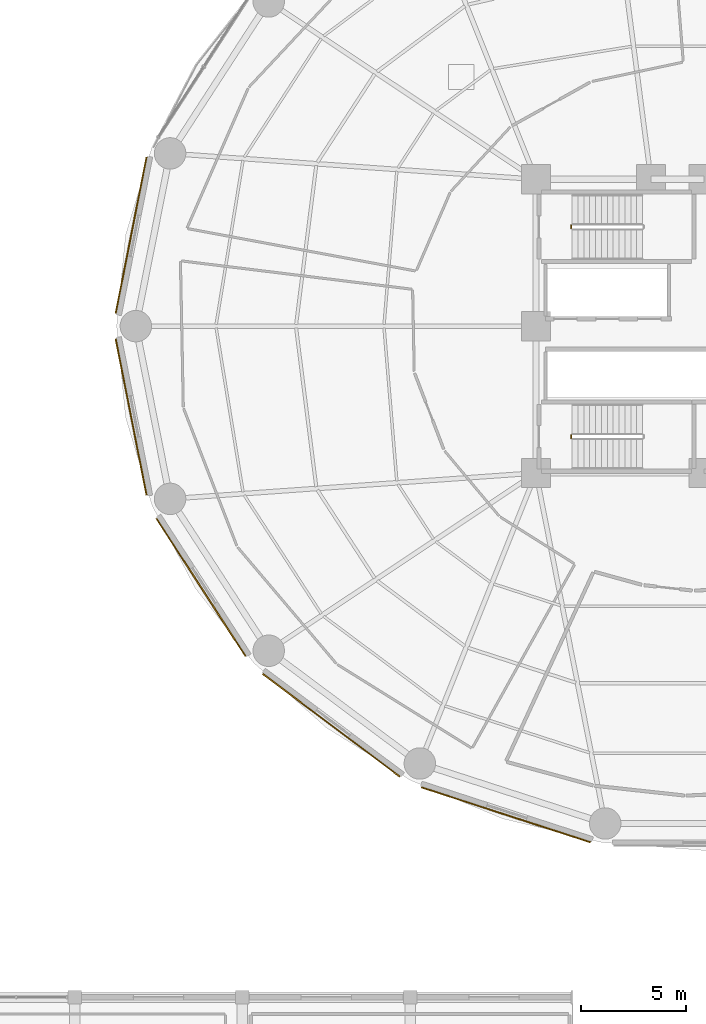
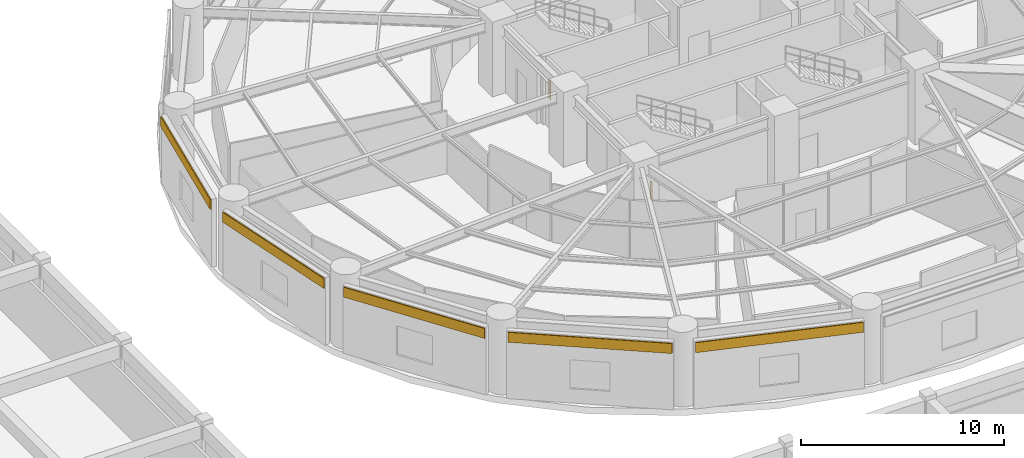
# One storey, part 47 of 52: 5 coverings, 2 railings.
"""IFC4 building model written with IfcOpenShell, lengths in metres."""

from ifc_helpers import new_model, si_unit, direction, frame, origin, origin_2d, place, context, subcontext, project, spatial, polyline, rectangle, outline, extrude, source, transform, mapped, material, layer, layer_set, type_object, element, save


model = new_model("IFC4")

# Units and contexts
model_context = context("Model", 3, precision=1e-05, world=origin(), true_north=direction((0.0, 1.0)))
body_context = subcontext(model_context, "Body", "Model", "MODEL_VIEW")
ifc_project = project(units=[si_unit("LENGTHUNIT", "METRE"), si_unit("AREAUNIT", "SQUARE_METRE"), si_unit("VOLUMEUNIT", "CUBIC_METRE"), si_unit("PLANEANGLEUNIT", "RADIAN"), si_unit("MASSUNIT", "GRAM", prefix="KILO")], contexts=[model_context])

# Site, building, storey
site_placement = place(None, origin())
site = spatial("IfcSite", under=ifc_project, at=site_placement, CompositionType="ELEMENT")
building_placement = place(site_placement, origin())
building = spatial("IfcBuilding", under=site, at=building_placement, Name="Kelanora Arch Commons", CompositionType="ELEMENT")
storey_placement = place(building_placement, frame((0.0, 0.0, 13.5)))
storey = spatial("IfcBuildingStorey", under=building, at=storey_placement, Name="L03", CompositionType="ELEMENT", Elevation=13.5)

# Railings
ifc_material_1 = material(Name="Painted steel stair well guard", Category="steel")
railing_type = type_object("IfcRailingType", Name="RAIL-STAIR-GRD", PredefinedType="GUARDRAIL", material=ifc_material_1)
for number, where, name in (
    (1, (67.669921875, 62.659912109375, 0.0), "L03 ST-T1 stair guard 4"),
    (2, (67.669921875, 52.659912109375, 0.0), "L03 ST-T3 stair guard 4"),
):
    element("IfcRailing", number, at=place(storey_placement, frame(where)), inside=storey, type_object=railing_type, Name=name, PredefinedType="GUARDRAIL", context=body_context, shape_type="SweptSolid", body=[
        extrude(outline(polyline([(0.02392578125, 0.0), (0.011962890625, 0.020751953125), (-0.011962890625, 0.020751953125), (-0.02392578125, 0.0), (-0.011962890625, -0.020751953125), (0.011962890625, -0.020751953125), (0.02392578125, 0.0)])), frame((0.0, 0.0, 1.076171875), z_axis=(0.0, 1.0, 0.0), x_axis=(-1.0, 0.0, 0.0)), (0.0, 0.0, 1.0), 0.150146484375),
        extrude(outline(polyline([(0.02392578125, 0.0), (0.011962890625, 0.020751953125), (-0.011962890625, 0.020751953125), (-0.02392578125, 0.0), (-0.011962890625, -0.020751953125), (0.011962890625, -0.020751953125), (0.02392578125, 0.0)])), frame((0.0, 0.0, 0.550048828125), z_axis=(0.0, 1.0, 0.0), x_axis=(-1.0, 0.0, 0.0)), (0.0, 0.0, 1.0), 0.150146484375),
        extrude(outline(polyline([(0.02099609375, 0.0), (0.010498046875, 0.01806640625), (-0.010498046875, 0.01806640625), (-0.02099609375, 0.0), (-0.010498046875, -0.01806640625), (0.010498046875, -0.01806640625), (0.02099609375, 0.0)])), origin(), (0.0, 0.0, 1.0), 1.052001953125),
        extrude(outline(polyline([(0.02099609375, 0.0), (0.010498046875, 0.01806640625), (-0.010498046875, 0.01806640625), (-0.02099609375, 0.0), (-0.010498046875, -0.01806640625), (0.010498046875, -0.01806640625), (0.02099609375, 0.0)])), frame((0.0, 0.150146484375, 0.0)), (0.0, 0.0, 1.0), 1.052001953125),
    ])

# Coverings
ifc_material_2 = material(Name="Glazed architectural terracotta spandrel cladding", Category="masonry")
ifc_layer = layer(ifc_material_2, 0.06005859375)
ifc_layer_set = layer_set([ifc_layer], Name="Glazed architectural terracotta spandrel cladding")
covering_type = type_object("IfcCoveringType", Name="COV-CLAD-TC", PredefinedType="CLADDING", material=ifc_layer_set)
shared_shape_1 = source(origin(), body_context, "Body", "SweptSolid", [
    extrude(rectangle(XDim=7.58251953125, YDim=0.06005859375, at=origin_2d()), origin(), (0.0, 0.0, 1.0), 0.60009765625),
])
for number, where, z_axis, x_axis, name in (
    (3, (46.694580078125, 62.33251953125, 3.43505859375), (0.0, 0.0, 1.0), (-0.19374368704, -0.981052181962, 0.0), "Terracotta Spandrel Cladding L03-B08"),
    (4, (46.694580078125, 53.66748046875, 3.43505859375), (0.0, 0.0, 1.0), (0.19374368704, -0.981052181962, 0.0), "Terracotta Spandrel Cladding L03-B09"),
):
    element("IfcCovering", number, at=place(storey_placement, frame(where, z_axis=z_axis, x_axis=x_axis)), inside=storey, type_object=covering_type, Name=name, PredefinedType="CLADDING", context=body_context, shape_type="MappedRepresentation", body=[
        mapped(shared_shape_1, transform((0.0, 0.0, 0.0), scale=1.0)),
    ])
shared_shape_2 = source(origin(), body_context, "Body", "SweptSolid", [
    extrude(rectangle(XDim=7.817626953125, YDim=0.06005859375, at=origin_2d()), origin(), (0.0, 0.0, 1.0), 0.60009765625),
])
covering_1_placement = place(storey_placement, frame((50.023193359375, 45.54833984375, 3.43505859375), z_axis=(0.0, 0.0, 1.0), x_axis=(0.543005222291, -0.839729318629, 0.0)))
element("IfcCovering", 5, at=covering_1_placement, inside=storey, type_object=covering_type, Name="Terracotta Spandrel Cladding L03-B10", PredefinedType="CLADDING", context=body_context, shape_type="MappedRepresentation", body=[
    mapped(shared_shape_2, transform((0.0, 0.0, 0.0), scale=1.0)),
])
shared_shape_3 = source(origin(), body_context, "Body", "SweptSolid", [
    extrude(rectangle(XDim=8.17041015625, YDim=0.06005859375, at=origin_2d()), origin(), (0.0, 0.0, 1.0), 0.60009765625),
])
covering_2_placement = place(storey_placement, frame((56.239013671875, 38.9697265625, 3.43505859375), z_axis=(0.0, 0.0, 1.0), x_axis=(0.800309643984, -0.599586919259, 0.0)))
element("IfcCovering", 6, at=covering_2_placement, inside=storey, type_object=covering_type, Name="Terracotta Spandrel Cladding L03-B11", PredefinedType="CLADDING", context=body_context, shape_type="MappedRepresentation", body=[
    mapped(shared_shape_3, transform((0.0, 0.0, 0.0), scale=1.0)),
])
shared_shape_4 = source(origin(), body_context, "Body", "SweptSolid", [
    extrude(rectangle(XDim=8.4736328125, YDim=0.06005859375, at=origin_2d()), origin(), (0.0, 0.0, 1.0), 0.60009765625),
])
covering_3_placement = place(storey_placement, frame((64.56396484375, 34.7001953125, 3.43505859375), z_axis=(0.0, 0.0, 1.0), x_axis=(0.95104065311, -0.309065811975, 0.0)))
element("IfcCovering", 7, at=covering_3_placement, inside=storey, type_object=covering_type, Name="Terracotta Spandrel Cladding L03-B12", PredefinedType="CLADDING", context=body_context, shape_type="MappedRepresentation", body=[
    mapped(shared_shape_4, transform((0.0, 0.0, 0.0), scale=1.0)),
])

save(model, "model.ifc")
